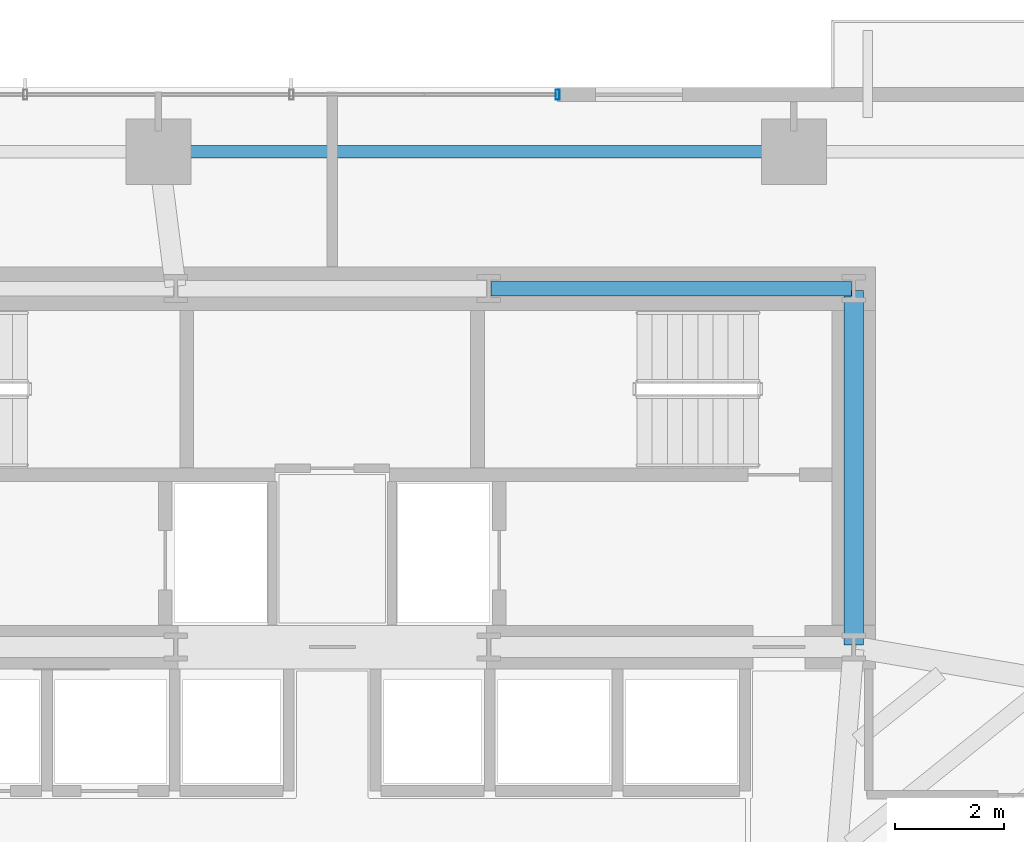
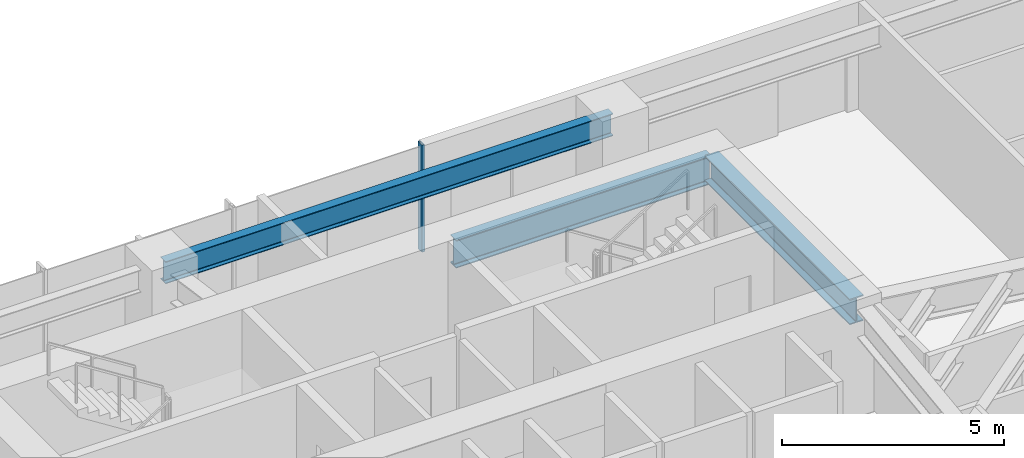
# One storey, part 15 of 25: 3 beams, 1 member, 1 element without a shape of its own.
"""IFC4 building model written with IfcOpenShell, lengths in metres."""

from ifc_helpers import new_model, si_unit, direction, frame, origin, origin_2d, place, context, subcontext, project, spatial, hollow_rectangle, i_section, extrude, source, transform, mapped, material, material_profile, profile_set, type_object, type_shapes, element, aggregate, save


model = new_model("IFC4")

# Units and contexts
model_context = context("Model", 3, precision=1e-05, world=origin(), true_north=direction((0.0, 1.0)))
body_context = subcontext(model_context, "Body", "Model", "MODEL_VIEW")
ifc_project = project(units=[si_unit("LENGTHUNIT", "METRE"), si_unit("AREAUNIT", "SQUARE_METRE"), si_unit("VOLUMEUNIT", "CUBIC_METRE"), si_unit("PLANEANGLEUNIT", "RADIAN"), si_unit("MASSUNIT", "GRAM", prefix="KILO")], contexts=[model_context])

# Site, building, storey
site_placement = place(None, origin())
site = spatial("IfcSite", under=ifc_project, at=site_placement, CompositionType="ELEMENT")
building_placement = place(site_placement, origin())
building = spatial("IfcBuilding", under=site, at=building_placement, Name="Astriad Promenade Condominiums", CompositionType="ELEMENT")
storey_placement = place(building_placement, frame((0.0, 0.0, 39.0)))
storey = spatial("IfcBuildingStorey", under=building, at=storey_placement, Name="L10", CompositionType="ELEMENT", Elevation=39.0)

# Beams
ifc_material_1 = material(Name="Steel ASTM A992 Grade 50", Category="steel")
ifc_material_profile_1 = material_profile(ifc_material_1, i_section(OverallWidth=0.267822265625, OverallDepth=0.76953125, WebThickness=0.015625, FlangeThickness=0.025390625, FilletRadius=0.021484375, at=origin_2d()), Name="W30X132")
ifc_profile_set_1 = profile_set([ifc_material_profile_1], Name="Steel ASTM A992 Grade 50")
beam_type_1 = type_object("IfcBeamType", Name="STEEL FLOOR GIRDER W30X132", PredefinedType="BEAM", material=ifc_profile_set_1)
shared_shape_1 = source(origin(), body_context, "Body", "SweptSolid", [
    extrude(i_section(OverallWidth=0.267822265625, OverallDepth=0.76953125, WebThickness=0.015625, FlangeThickness=0.025390625, FilletRadius=0.021484375, at=origin_2d()), origin(), (0.0, 0.0, 1.0), 6.64013671875),
])
type_shapes(beam_type_1, [shared_shape_1])
beam_1_placement = place(storey_placement, frame((38.919921875, 24.0, 2.55517578125), z_axis=(1.0, 0.0, 0.0), x_axis=(0.0, 1.0, 0.0)))
element("IfcBeam", 1, at=beam_1_placement, inside=storey, type_object=beam_type_1, Name="Core Ring Beam CG-N3-L10", PredefinedType="BEAM", context=body_context, shape_type="MappedRepresentation", body=[
    mapped(shared_shape_1, transform((0.0, 0.0, 0.0), scale=1.0)),
])
ifc_material_profile_2 = material_profile(ifc_material_1, i_section(OverallWidth=0.35791015625, OverallDepth=0.706298828125, WebThickness=0.018310546875, FlangeThickness=0.0302734375, FilletRadius=0.020263671875, at=origin_2d()), Name="W27X178")
ifc_profile_set_2 = profile_set([ifc_material_profile_2], Name="Steel ASTM A992 Grade 50")
beam_type_2 = type_object("IfcBeamType", Name="STEEL FLOOR GIRDER W27X178", PredefinedType="BEAM", material=ifc_profile_set_2)
shared_shape_2 = source(origin(), body_context, "Body", "SweptSolid", [
    extrude(i_section(OverallWidth=0.35791015625, OverallDepth=0.706298828125, WebThickness=0.018310546875, FlangeThickness=0.0302734375, FilletRadius=0.020263671875, at=origin_2d()), origin(), (0.0, 0.0, 1.0), 6.52001953125),
])
type_shapes(beam_type_2, [shared_shape_2])
beam_2_placement = place(storey_placement, frame((45.60009765625, 17.43994140625, 2.5869140625), z_axis=(0.0, 1.0, 0.0), x_axis=(-1.0, 0.0, 0.0)))
element("IfcBeam", 2, at=beam_2_placement, inside=storey, type_object=beam_type_2, Name="Core Ring Beam CG-E1-L10", PredefinedType="BEAM", context=body_context, shape_type="MappedRepresentation", body=[
    mapped(shared_shape_2, transform((0.0, 0.0, 0.0), scale=1.0)),
])
ifc_material_profile_3 = material_profile(ifc_material_1, i_section(OverallWidth=0.22900390625, OverallDepth=0.612060546875, WebThickness=0.011962890625, FlangeThickness=0.01953125, FilletRadius=0.017822265625, at=origin_2d()), Name="W24X84")
ifc_profile_set_3 = profile_set([ifc_material_profile_3], Name="Steel ASTM A992 Grade 50")
beam_type_3 = type_object("IfcBeamType", Name="STEEL SPANDREL BEAM W24X84", PredefinedType="SPANDREL", material=ifc_profile_set_3)
shared_shape_3 = source(origin(), body_context, "Body", "SweptSolid", [
    extrude(i_section(OverallWidth=0.22900390625, OverallDepth=0.612060546875, WebThickness=0.011962890625, FlangeThickness=0.01953125, FilletRadius=0.017822265625, at=origin_2d()), origin(), (0.0, 0.0, 1.0), 11.619873046875),
])
type_shapes(beam_type_3, [shared_shape_3])
beam_3_placement = place(storey_placement, frame((44.4599609375, 26.52001953125, 2.6337890625), z_axis=(-1.0, 0.0, 0.0), x_axis=(0.0, -1.0, 0.0)))
element("IfcBeam", 3, at=beam_3_placement, inside=storey, type_object=beam_type_3, Name="Perimeter Spandrel Beam SP-N3-L10", PredefinedType="SPANDREL", context=body_context, shape_type="MappedRepresentation", body=[
    mapped(shared_shape_3, transform((0.0, 0.0, 0.0), scale=1.0)),
])

# Curtain wall, member
ifc_material_2 = material(Name="Anodised aluminium Black Dark Glass Unitised", Category="aluminium")
curtain_wall_type = type_object("IfcCurtainWallType", Name="CW-B1-DARK", PredefinedType="USERDEFINED", material=ifc_material_2)
curtain_wall_placement = place(storey_placement, origin())
curtain_wall = element("IfcCurtainWall", 4, at=curtain_wall_placement, inside=storey, type_object=curtain_wall_type, Name="CW-L10-N", ObjectType="UNITISED_CURTAIN_WALL", PredefinedType="USERDEFINED")
ifc_material_3 = material(Name="Anodised aluminium 6063-T6 Black", Category="aluminium")
ifc_material_profile_4 = material_profile(ifc_material_3, hollow_rectangle(XDim=0.074951171875, YDim=0.18505859375, WallThickness=0.00439453125, at=origin_2d()), Name="ALU-MUL-75X185")
ifc_profile_set_4 = profile_set([ifc_material_profile_4], Name="Anodised aluminium 6063-T6 Black")
member_type = type_object("IfcMemberType", Name="MUL-ALU-MUL-75X185", PredefinedType="MULLION", material=ifc_profile_set_4)
shared_shape_4 = source(origin(), body_context, "Body", "SweptSolid", [
    extrude(hollow_rectangle(XDim=0.074951171875, YDim=0.18505859375, WallThickness=0.00439453125, at=origin_2d()), origin(), (0.0, 0.0, 1.0), 2.93994140625),
])
type_shapes(member_type, [shared_shape_4])
member_placement = place(storey_placement, frame((40.14990234375, 27.570068359375, 0.0), z_axis=(0.0, 0.0, 1.0), x_axis=(1.0, 0.0, 0.0)))
member = element("IfcMember", 5, at=member_placement, type_object=member_type, Name="CW-L10-N-MUL-03", PredefinedType="MULLION", context=body_context, shape_type="MappedRepresentation", body=[
    mapped(shared_shape_4, transform((0.0, 0.0, 0.0), scale=1.0)),
])
aggregate(curtain_wall, [member])

save(model, "model.ifc")
